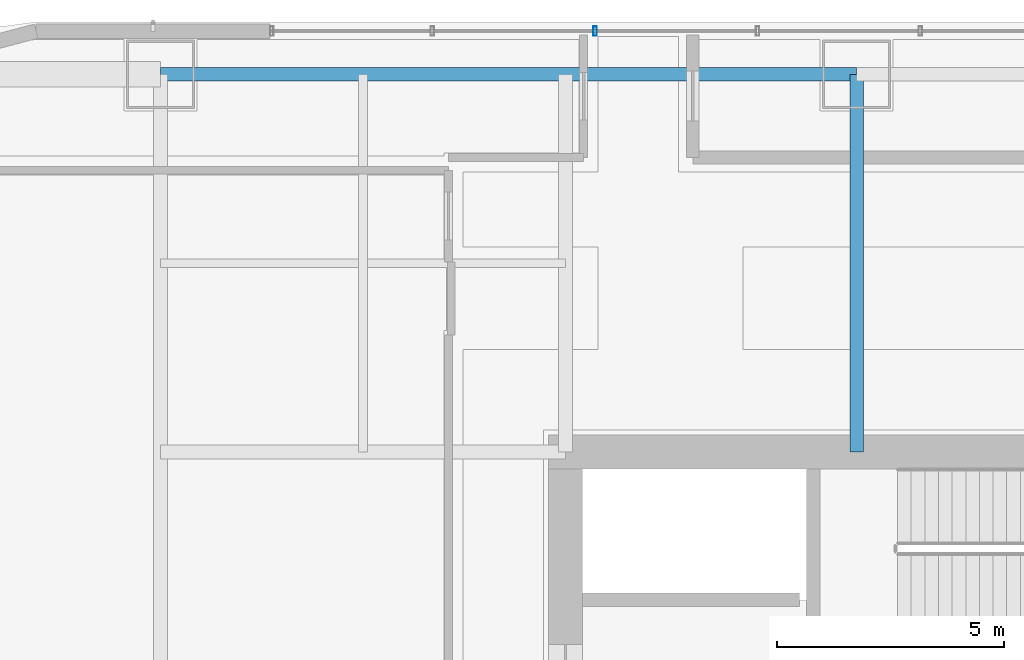
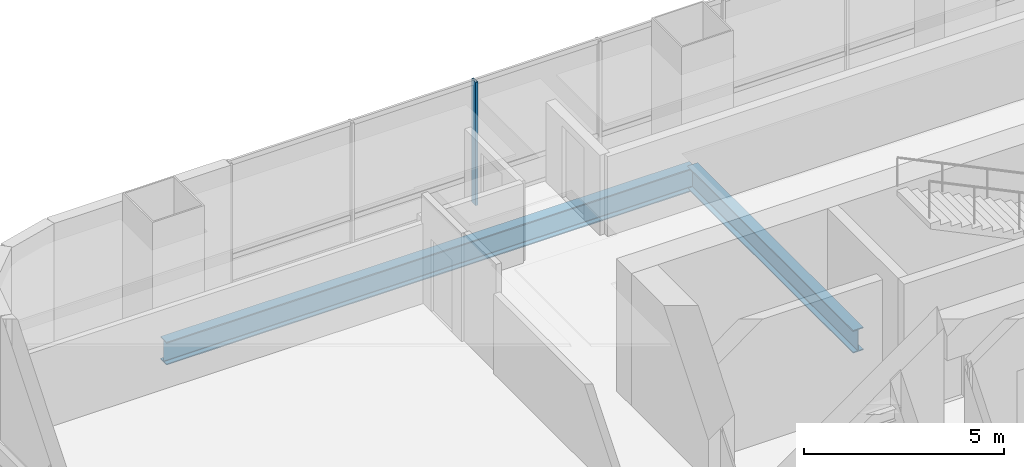
# One storey, part 19 of 45: 2 beams, 1 member, 1 element without a shape of its own.
"""IFC4 building model written with IfcOpenShell, lengths in metres."""

from ifc_helpers import new_model, si_unit, direction, frame, origin, origin_2d, place, context, subcontext, project, spatial, hollow_rectangle, i_section, extrude, material, material_profile, profile_set, type_object, element, aggregate, save


model = new_model("IFC4")

# Units and contexts
model_context = context("Model", 3, precision=1e-05, world=origin(), true_north=direction((0.0, 1.0)))
body_context = subcontext(model_context, "Body", "Model", "MODEL_VIEW")
ifc_project = project(units=[si_unit("LENGTHUNIT", "METRE"), si_unit("AREAUNIT", "SQUARE_METRE"), si_unit("VOLUMEUNIT", "CUBIC_METRE"), si_unit("PLANEANGLEUNIT", "RADIAN"), si_unit("MASSUNIT", "GRAM", prefix="KILO")], contexts=[model_context])

# Site, building, storey
site_placement = place(None, origin())
site = spatial("IfcSite", under=ifc_project, at=site_placement, CompositionType="ELEMENT")
building_placement = place(site_placement, origin())
building = spatial("IfcBuilding", under=site, at=building_placement, Name="Punatoya Terracotta Tower", CompositionType="ELEMENT")
storey_placement = place(building_placement, frame((0.0, 0.0, 56.550048828125)))
storey = spatial("IfcBuildingStorey", under=building, at=storey_placement, Name="L12", CompositionType="ELEMENT", Elevation=56.550048828125)

# Beams
ifc_material_1 = material(Name="Steel S355", Category="steel")
ifc_material_profile_1 = material_profile(ifc_material_1, i_section(OverallWidth=0.300048828125, OverallDepth=0.699951171875, WebThickness=0.01708984375, FlangeThickness=0.031982421875, FilletRadius=0.01806640625, at=origin_2d()))
ifc_profile_set_1 = profile_set([ifc_material_profile_1], Name="Steel S355")
beam_type = type_object("IfcBeamType", Name="BM-PRI-700", PredefinedType="BEAM", material=ifc_profile_set_1)
beam_1_placement = place(storey_placement, frame((-19.10009765625, 17.5, -0.590087890625), z_axis=(1.0, 0.0, 0.0), x_axis=(0.0, 1.0, 0.0)))
element("IfcBeam", 1, at=beam_1_placement, inside=storey, type_object=beam_type, Name="BM-L12-RG-N1", PredefinedType="BEAM", context=body_context, shape_type="SweptSolid", body=[
    extrude(i_section(OverallWidth=0.300048828125, OverallDepth=0.699951171875, WebThickness=0.01708984375, FlangeThickness=0.031982421875, FilletRadius=0.01806640625, at=origin_2d()), origin(), (0.0, 0.0, 1.0), 15.300048828125),
])
beam_2_placement = place(storey_placement, frame((-3.800048828125, 9.199951171875, -0.590087890625), z_axis=(0.0, 1.0, 0.0), x_axis=(-1.0, 0.0, 0.0)))
element("IfcBeam", 2, at=beam_2_placement, inside=storey, type_object=beam_type, Name="BM-L12-PR-N2", PredefinedType="BEAM", context=body_context, shape_type="SweptSolid", body=[
    extrude(i_section(OverallWidth=0.300048828125, OverallDepth=0.699951171875, WebThickness=0.01708984375, FlangeThickness=0.031982421875, FilletRadius=0.01806640625, at=origin_2d()), origin(), (0.0, 0.0, 1.0), 8.300048828125),
])

# Curtain wall, member
ifc_material_2 = material(Name="Aluminium 6063-T6 + Double Low-E Glass", Category="aluminium")
curtain_wall_type = type_object("IfcCurtainWallType", Name="CW-M1", PredefinedType="NOTDEFINED", material=ifc_material_2)
curtain_wall_placement = place(storey_placement, origin())
curtain_wall = element("IfcCurtainWall", 3, at=curtain_wall_placement, inside=storey, type_object=curtain_wall_type, Name="L12 Curtain Wall CW-L12-N09-1", PredefinedType="NOTDEFINED")
ifc_material_3 = material(Name="Aluminium 6063-T6", Category="aluminium")
ifc_material_profile_2 = material_profile(ifc_material_3, hollow_rectangle(XDim=0.074951171875, YDim=0.2099609375, WallThickness=0.00439453125, at=origin_2d()))
ifc_profile_set_2 = profile_set([ifc_material_profile_2], Name="Aluminium 6063-T6")
member_type = type_object("IfcMemberType", Name="CW-MUL-M1", PredefinedType="MULLION", material=ifc_profile_set_2)
member_placement = place(storey_placement, frame((-9.550048828125, 18.449951171875, 0.0), z_axis=(0.0, 0.0, 1.0), x_axis=(1.0, 0.0, 0.0)))
member = element("IfcMember", 4, at=member_placement, type_object=member_type, Name="CW-L12-N09-1 Mullion 06", PredefinedType="MULLION", context=body_context, shape_type="SweptSolid", body=[
    extrude(hollow_rectangle(XDim=0.074951171875, YDim=0.2099609375, WallThickness=0.00439453125, at=origin_2d()), origin(), (0.0, 0.0, 1.0), 3.77001953125),
])
aggregate(curtain_wall, [member])

save(model, "model.ifc")
